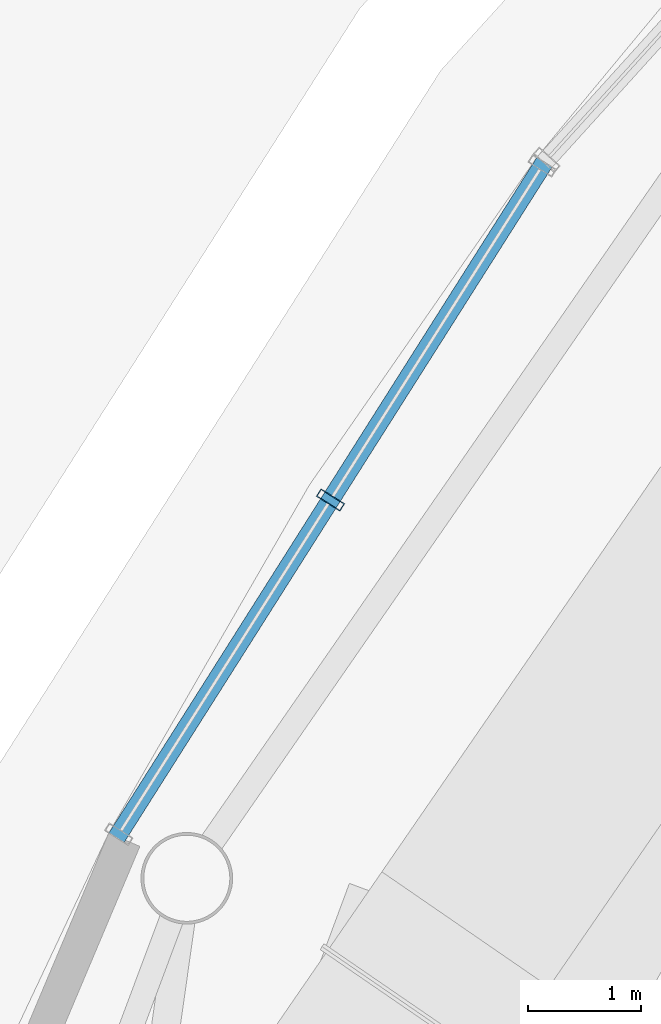
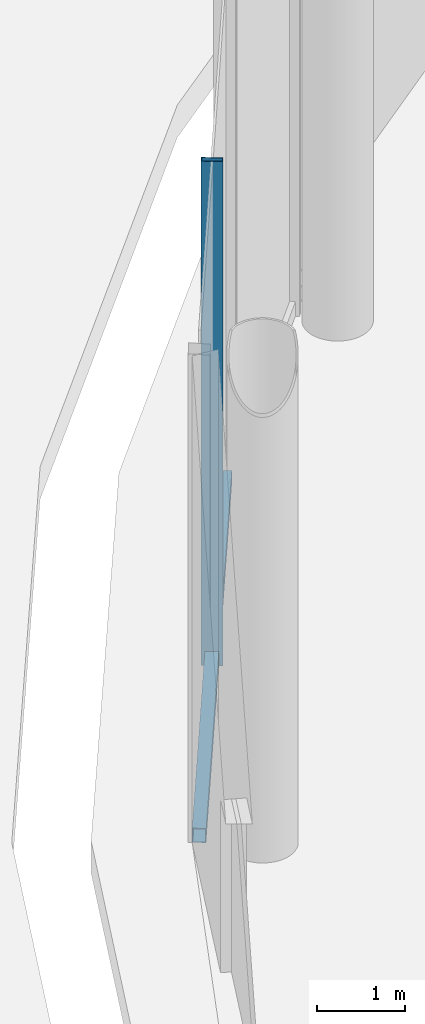
# One storey, part 41 of 67: 2 members, 1 element without a shape of its own.
"""IFC4 building model written with IfcOpenShell, lengths in metres."""

from ifc_helpers import new_model, si_unit, direction, frame, origin, origin_2d, place, context, subcontext, project, spatial, hollow_rectangle, extrude, material, layer, layer_set, material_profile, profile_set, type_object, element, aggregate, save


model = new_model("IFC4")

# Units and contexts
model_context = context("Model", 3, precision=1e-05, world=origin(), true_north=direction((0.0, 1.0)))
body_context = subcontext(model_context, "Body", "Model", "MODEL_VIEW")
ifc_project = project(units=[si_unit("LENGTHUNIT", "METRE"), si_unit("AREAUNIT", "SQUARE_METRE"), si_unit("VOLUMEUNIT", "CUBIC_METRE"), si_unit("PLANEANGLEUNIT", "RADIAN"), si_unit("MASSUNIT", "GRAM", prefix="KILO")], contexts=[model_context])

# Site, building, storey
site_placement = place(None, origin())
site = spatial("IfcSite", under=ifc_project, at=site_placement, CompositionType="ELEMENT")
building_placement = place(site_placement, origin())
building = spatial("IfcBuilding", under=site, at=building_placement, Name="Nagisa Residences", CompositionType="ELEMENT")
storey_placement = place(building_placement, origin())
storey = spatial("IfcBuildingStorey", under=building, at=storey_placement, Name="L00", CompositionType="ELEMENT", Elevation=0.0)

# Curtain wall, members
ifc_material_1 = material(Name="Stainless steel curtain wall system", Category="steel")
ifc_layer = layer(ifc_material_1, 0.159912109375)
ifc_layer_set = layer_set([ifc_layer], Name="CW3 CURTAIN WALL")
curtain_wall_type = type_object("IfcCurtainWallType", Name="CW3 CURTAIN WALL", PredefinedType="NOTDEFINED", material=ifc_layer_set)
curtain_wall_placement = place(storey_placement, origin())
curtain_wall = element("IfcCurtainWall", 1, at=curtain_wall_placement, inside=storey, type_object=curtain_wall_type, Name="cw:CW3:L00:14", PredefinedType="NOTDEFINED")
ifc_material_2 = material(Name="Stainless steel", Category="steel")
ifc_material_profile_1 = material_profile(ifc_material_2, hollow_rectangle(XDim=0.25, YDim=0.080078125, WallThickness=0.008056640625, at=origin_2d()), Name="CW3 MULLION 250x80")
ifc_profile_set_1 = profile_set([ifc_material_profile_1], Name="Stainless steel")
member_type_1 = type_object("IfcMemberType", Name="CW3 MULLION 250x80", PredefinedType="MULLION", material=ifc_profile_set_1)
member_1_placement = place(storey_placement, frame((-27.341796875, 23.955810546875, 0.0), z_axis=(0.0, 0.0, 1.0), x_axis=(0.844747368001, -0.535165286856, 0.0)))
member_1 = element("IfcMember", 2, at=member_1_placement, type_object=member_type_1, Name="CW3 mullion", PredefinedType="MULLION", context=body_context, shape_type="SweptSolid", body=[
    extrude(hollow_rectangle(XDim=0.25, YDim=0.080078125, WallThickness=0.008056640625, at=origin_2d()), origin(), (0.0, 0.0, 1.0), 7.0),
])
ifc_material_3 = material(Name="Stainless steel", Category="steel")
ifc_material_profile_2 = material_profile(ifc_material_3, hollow_rectangle(XDim=0.159912109375, YDim=0.199951171875, WallThickness=0.008056640625, at=origin_2d()), Name="CW3 TRANSOM 160x200")
ifc_profile_set_2 = profile_set([ifc_material_profile_2], Name="Stainless steel")
member_type_2 = type_object("IfcMemberType", Name="CW3 TRANSOM 160x200", PredefinedType="USERDEFINED", material=ifc_profile_set_2)
member_2_placement = place(storey_placement, frame((-25.442138671875, 26.954345703125, 0.10009765625), z_axis=(-0.535169889444, -0.844744452147, 0.0), x_axis=(0.844744452147, -0.535169889444, 0.0)))
member_2 = element("IfcMember", 3, at=member_2_placement, type_object=member_type_2, Name="CW3 transom", ObjectType="TRANSOM", PredefinedType="USERDEFINED", context=body_context, shape_type="SweptSolid", body=[
    extrude(hollow_rectangle(XDim=0.159912109375, YDim=0.199951171875, WallThickness=0.008056640625, at=origin_2d()), origin(), (0.0, 0.0, 1.0), 7.099365234375),
])
aggregate(curtain_wall, [member_1, member_2])

save(model, "model.ifc")
